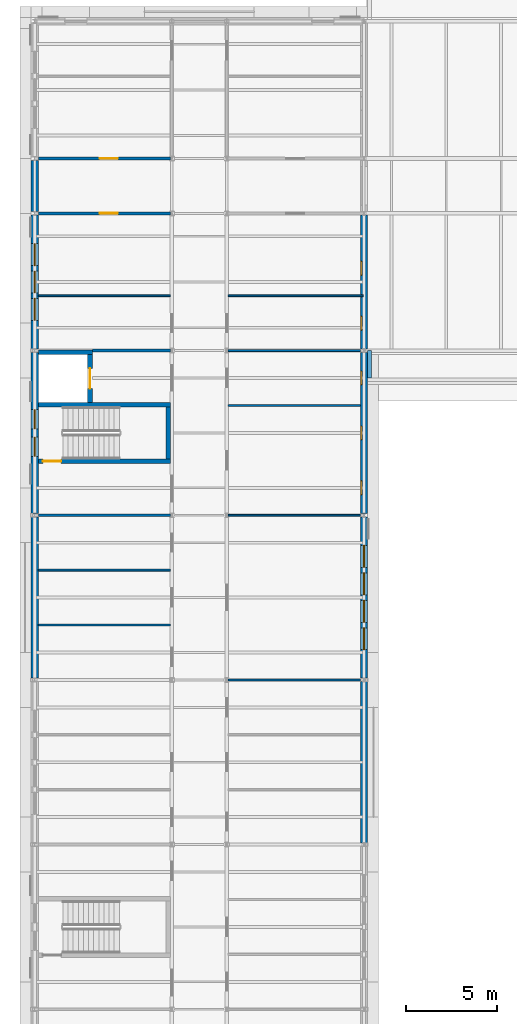
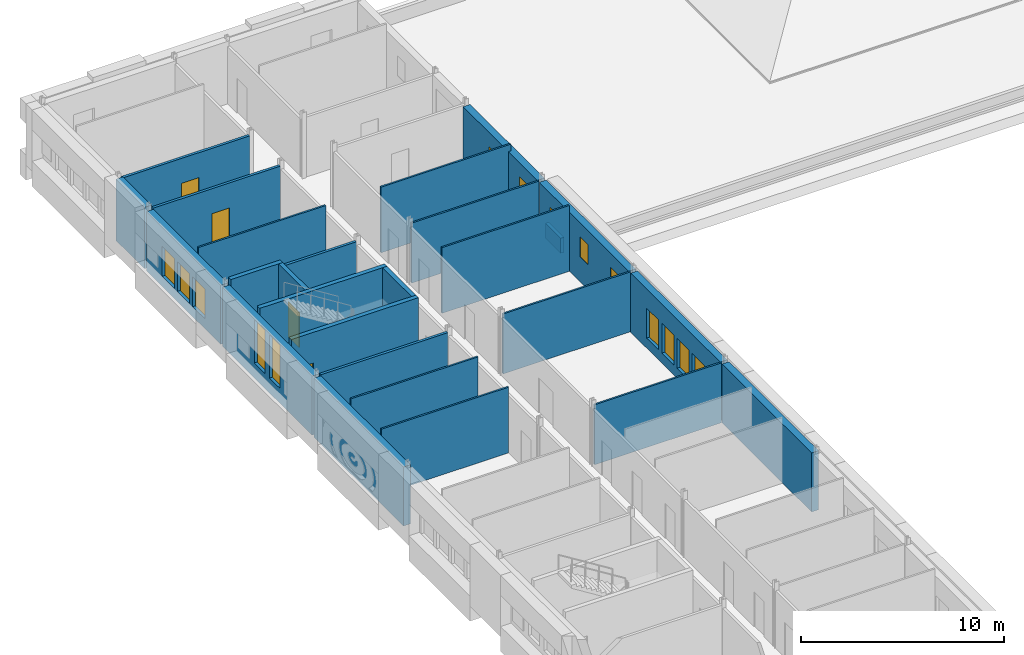
# One storey, part 28 of 42: 26 walls, 14 windows, 4 doors, 18 openings.
"""IFC4 building model written with IfcOpenShell, lengths in metres."""

from ifc_helpers import new_model, si_unit, direction, frame, frame_2d, origin, place, context, subcontext, project, spatial, rectangle, extrude, material, layer, layer_set, type_object, element, fill, save


model = new_model("IFC4")

# Units and contexts
model_context = context("Model", 3, precision=1e-05, world=origin(), true_north=direction((0.0, 1.0)))
body_context = subcontext(model_context, "Body", "Model", "MODEL_VIEW")
ifc_project = project(units=[si_unit("LENGTHUNIT", "METRE"), si_unit("AREAUNIT", "SQUARE_METRE"), si_unit("VOLUMEUNIT", "CUBIC_METRE"), si_unit("PLANEANGLEUNIT", "RADIAN"), si_unit("MASSUNIT", "GRAM", prefix="KILO")], contexts=[model_context])

# Site, building, storey
site_placement = place(None, origin())
site = spatial("IfcSite", under=ifc_project, at=site_placement, CompositionType="ELEMENT")
building_placement = place(site_placement, origin())
building = spatial("IfcBuilding", under=site, at=building_placement, Name="Golden Quay Civic Hall", CompositionType="ELEMENT")
storey_placement = place(building_placement, frame((0.0, 0.0, 22.800048828125)))
storey = spatial("IfcBuildingStorey", under=building, at=storey_placement, Name="L05", CompositionType="ELEMENT", Elevation=22.800048828125)

# Wall, openings, windows
ifc_material_1 = material(Name="Brick, dark clay facing", Category="masonry")
ifc_layer_1 = layer(ifc_material_1, 0.39990234375)
ifc_layer_set_1 = layer_set([ifc_layer_1], Name="Brick external wall 400")
wall_type_1 = type_object("IfcWallType", Name="Brick external wall 400", PredefinedType="STANDARD", material=ifc_layer_set_1)
wall_1_placement = place(storey_placement, frame((18.0, 62.905029296875, 0.0), z_axis=(0.0, 0.0, 1.0), x_axis=(0.0, -1.0, 0.0)))
wall_1 = element("IfcWall", 1, at=wall_1_placement, inside=storey, type_object=wall_type_1, Name="Brick external wall 400 L05 1", PredefinedType="STANDARD", context=body_context, shape_type="SweptSolid", body=[
    extrude(rectangle(XDim=8.81005859375, YDim=0.39990234375, at=frame_2d((4.405029296875, 0.0))), origin(), (0.0, 0.0, 1.0), 3.550048828125),
])
opening_1_placement = place(wall_1_placement, frame((7.030029296875, 0.0, 1.5)))
opening_1 = element("IfcOpeningElement", 2, at=opening_1_placement, cuts=wall_1, Name="Opening WN11", PredefinedType="OPENING", context=body_context, shape_type="SweptSolid", body=[
    extrude(rectangle(XDim=0.75, YDim=1.199951171875, at=frame_2d((0.375, 0.60009765625))), frame((0.0, 0.2099609375, 0.0), z_axis=(0.0, -1.0, 0.0), x_axis=(1.0, 0.0, 0.0)), (0.0, 0.0, 1.0), 0.419921875),
])
opening_2_placement = place(wall_1_placement, frame((4.030029296875, 0.0, 1.5)))
opening_2 = element("IfcOpeningElement", 3, at=opening_2_placement, cuts=wall_1, Name="Opening WN11", PredefinedType="OPENING", context=body_context, shape_type="SweptSolid", body=[
    extrude(rectangle(XDim=0.75, YDim=1.199951171875, at=frame_2d((0.375, 0.60009765625))), frame((0.0, 0.2099609375, 0.0), z_axis=(0.0, -1.0, 0.0), x_axis=(1.0, 0.0, 0.0)), (0.0, 0.0, 1.0), 0.419921875),
])
opening_3_placement = place(wall_1_placement, frame((1.030029296875, 0.0, 1.5)))
opening_3 = element("IfcOpeningElement", 4, at=opening_3_placement, cuts=wall_1, Name="Opening WN11", PredefinedType="OPENING", context=body_context, shape_type="SweptSolid", body=[
    extrude(rectangle(XDim=0.75, YDim=1.199951171875, at=frame_2d((0.375, 0.60009765625))), frame((0.0, 0.2099609375, 0.0), z_axis=(0.0, -1.0, 0.0), x_axis=(1.0, 0.0, 0.0)), (0.0, 0.0, 1.0), 0.419921875),
])
ifc_material_2 = material(Name="Aluminium frame, double glazed", Category="aluminium")
window_type_1 = type_object("IfcWindowType", Name="Attic pair window 750 x 1200", PartitioningType="SINGLE_PANEL", PredefinedType="WINDOW", material=ifc_material_2)
window_1_placement = place(opening_1_placement, origin())
window_1 = element("IfcWindow", 5, at=window_1_placement, inside=storey, type_object=window_type_1, Name="Attic pair window 750 x 1200 L05 1", OverallHeight=1.199951171875, OverallWidth=0.75, PartitioningType="SINGLE_PANEL", PredefinedType="WINDOW", context=body_context, shape_type="SweptSolid", body=[
    extrude(rectangle(XDim=0.75, YDim=1.199951171875, at=frame_2d((0.375, 0.60009765625))), frame((0.0, -0.119873046875, 0.0), z_axis=(0.0, -1.0, 0.0), x_axis=(1.0, 0.0, 0.0)), (0.0, 0.0, 1.0), 0.06005859375),
])
fill(opening_1, window_1)
window_2_placement = place(opening_2_placement, origin())
window_2 = element("IfcWindow", 6, at=window_2_placement, inside=storey, type_object=window_type_1, Name="Attic pair window 750 x 1200 L05 2", OverallHeight=1.199951171875, OverallWidth=0.75, PartitioningType="SINGLE_PANEL", PredefinedType="WINDOW", context=body_context, shape_type="SweptSolid", body=[
    extrude(rectangle(XDim=0.75, YDim=1.199951171875, at=frame_2d((0.375, 0.60009765625))), frame((0.0, -0.119873046875, 0.0), z_axis=(0.0, -1.0, 0.0), x_axis=(1.0, 0.0, 0.0)), (0.0, 0.0, 1.0), 0.06005859375),
])
fill(opening_2, window_2)
window_3_placement = place(opening_3_placement, origin())
window_3 = element("IfcWindow", 7, at=window_3_placement, inside=storey, type_object=window_type_1, Name="Attic pair window 750 x 1200 L05 3", OverallHeight=1.199951171875, OverallWidth=0.75, PartitioningType="SINGLE_PANEL", PredefinedType="WINDOW", context=body_context, shape_type="SweptSolid", body=[
    extrude(rectangle(XDim=0.75, YDim=1.199951171875, at=frame_2d((0.375, 0.60009765625))), frame((0.0, -0.119873046875, 0.0), z_axis=(0.0, -1.0, 0.0), x_axis=(1.0, 0.0, 0.0)), (0.0, 0.0, 1.0), 0.06005859375),
])
fill(opening_3, window_3)

wall_2_placement = place(storey_placement, frame((18.0, 70.405029296875, 0.0), z_axis=(0.0, 0.0, 1.0), x_axis=(0.0, -1.0, 0.0)))
wall_2 = element("IfcWall", 8, at=wall_2_placement, inside=storey, type_object=wall_type_1, Name="Brick external wall 400 L05 2", PredefinedType="STANDARD", context=body_context, shape_type="SweptSolid", body=[
    extrude(rectangle(XDim=7.31005859375, YDim=0.39990234375, at=frame_2d((3.655029296875, 0.0))), origin(), (0.0, 0.0, 1.0), 3.550048828125),
])
opening_4_placement = place(wall_2_placement, frame((5.530029296875, 0.0, 1.5)))
opening_4 = element("IfcOpeningElement", 9, at=opening_4_placement, cuts=wall_2, Name="Opening WN11", PredefinedType="OPENING", context=body_context, shape_type="SweptSolid", body=[
    extrude(rectangle(XDim=0.75, YDim=1.199951171875, at=frame_2d((0.375, 0.60009765625))), frame((0.0, 0.2099609375, 0.0), z_axis=(0.0, -1.0, 0.0), x_axis=(1.0, 0.0, 0.0)), (0.0, 0.0, 1.0), 0.419921875),
])
opening_5_placement = place(wall_2_placement, frame((2.530029296875, 0.0, 1.5)))
opening_5 = element("IfcOpeningElement", 10, at=opening_5_placement, cuts=wall_2, Name="Opening WN11", PredefinedType="OPENING", context=body_context, shape_type="SweptSolid", body=[
    extrude(rectangle(XDim=0.75, YDim=1.199951171875, at=frame_2d((0.375, 0.60009765625))), frame((0.0, 0.2099609375, 0.0), z_axis=(0.0, -1.0, 0.0), x_axis=(1.0, 0.0, 0.0)), (0.0, 0.0, 1.0), 0.419921875),
])
window_4_placement = place(opening_4_placement, origin())
window_4 = element("IfcWindow", 11, at=window_4_placement, inside=storey, type_object=window_type_1, Name="Attic pair window 750 x 1200 L05 4", OverallHeight=1.199951171875, OverallWidth=0.75, PartitioningType="SINGLE_PANEL", PredefinedType="WINDOW", context=body_context, shape_type="SweptSolid", body=[
    extrude(rectangle(XDim=0.75, YDim=1.199951171875, at=frame_2d((0.375, 0.60009765625))), frame((0.0, -0.119873046875, 0.0), z_axis=(0.0, -1.0, 0.0), x_axis=(1.0, 0.0, 0.0)), (0.0, 0.0, 1.0), 0.06005859375),
])
fill(opening_4, window_4)
window_5_placement = place(opening_5_placement, origin())
window_5 = element("IfcWindow", 12, at=window_5_placement, inside=storey, type_object=window_type_1, Name="Attic pair window 750 x 1200 L05 5", OverallHeight=1.199951171875, OverallWidth=0.75, PartitioningType="SINGLE_PANEL", PredefinedType="WINDOW", context=body_context, shape_type="SweptSolid", body=[
    extrude(rectangle(XDim=0.75, YDim=1.199951171875, at=frame_2d((0.375, 0.60009765625))), frame((0.0, -0.119873046875, 0.0), z_axis=(0.0, -1.0, 0.0), x_axis=(1.0, 0.0, 0.0)), (0.0, 0.0, 1.0), 0.06005859375),
])
fill(opening_5, window_5)

# Wall, opening, door
ifc_material_3 = material(Name="Concrete C40/50", Category="concrete")
ifc_layer_2 = layer(ifc_material_3, 0.25)
ifc_layer_set_2 = layer_set([ifc_layer_2], Name="Concrete core wall 250, Concrete C40/50")
wall_type_2 = type_object("IfcWallType", Name="Concrete core wall 250", PredefinedType="SHEAR", material=ifc_layer_set_2)
wall_3_placement = place(storey_placement, frame((0.199951171875, 56.949951171875, 0.0), z_axis=(0.0, 0.0, 1.0), x_axis=(1.0, 0.0, 0.0)))
wall_3 = element("IfcWall", 13, at=wall_3_placement, inside=storey, type_object=wall_type_2, Name="Core wall WO-N-W1", PredefinedType="SHEAR", context=body_context, shape_type="SweptSolid", body=[
    extrude(rectangle(XDim=7.22509765625, YDim=0.25, at=frame_2d((3.612548828125, 0.0))), origin(), (0.0, 0.0, 1.0), 3.949951171875),
])
opening_6_placement = place(wall_3_placement, frame((0.25, 0.0, 0.0)))
opening_6 = element("IfcOpeningElement", 14, at=opening_6_placement, cuts=wall_3, Name="Opening L05-D030", PredefinedType="OPENING", context=body_context, shape_type="SweptSolid", body=[
    extrude(rectangle(XDim=1.0, YDim=2.10009765625, at=frame_2d((0.5, 1.050048828125))), frame((0.0, 0.135009765625, 0.0), z_axis=(0.0, -1.0, 0.0), x_axis=(1.0, 0.0, 0.0)), (0.0, 0.0, 1.0), 0.27001953125),
])
ifc_material_4 = material(Name="Steel", Category="steel")
door_type_1 = type_object("IfcDoorType", Name="Steel fire door FD60 1000 x 2100", OperationType="SINGLE_SWING_LEFT", PredefinedType="DOOR", material=ifc_material_4)
door_1_placement = place(opening_6_placement, origin())
door_1 = element("IfcDoor", 15, at=door_1_placement, inside=storey, type_object=door_type_1, Name="Door L05-D030", OperationType="SINGLE_SWING_LEFT", OverallHeight=2.10009765625, OverallWidth=1.0, PredefinedType="DOOR", context=body_context, shape_type="SweptSolid", body=[
    extrude(rectangle(XDim=1.0, YDim=2.10009765625, at=frame_2d((0.5, 1.050048828125))), frame((0.0, 0.02490234375, 0.0), z_axis=(0.0, -1.0, 0.0), x_axis=(1.0, 0.0, 0.0)), (0.0, 0.0, 1.0), 0.050048828125),
])
fill(opening_6, door_1)

# Walls
wall_4_placement = place(storey_placement, frame((0.199951171875, 60.050048828125, 0.0), z_axis=(0.0, 0.0, 1.0), x_axis=(1.0, 0.0, 0.0)))
element("IfcWall", 16, at=wall_4_placement, inside=storey, type_object=wall_type_2, Name="Core wall WO-N-W2", PredefinedType="SHEAR", context=body_context, shape_type="SweptSolid", body=[
    extrude(rectangle(XDim=7.22509765625, YDim=0.25, at=frame_2d((3.612548828125, 0.0))), origin(), (0.0, 0.0, 1.0), 3.949951171875),
])
wall_5_placement = place(storey_placement, frame((7.300048828125, 57.074951171875, 0.0), z_axis=(0.0, 0.0, 1.0), x_axis=(0.0, 1.0, 0.0)))
element("IfcWall", 17, at=wall_5_placement, inside=storey, type_object=wall_type_2, Name="Core wall WO-N-W3", PredefinedType="SHEAR", context=body_context, shape_type="SweptSolid", body=[
    extrude(rectangle(XDim=2.85009765625, YDim=0.25, at=frame_2d((1.425048828125, 0.0))), origin(), (0.0, 0.0, 1.0), 3.949951171875),
])

# Wall, opening, door
wall_6_placement = place(storey_placement, frame((3.02490234375, 60.175048828125, 0.0), z_axis=(0.0, 0.0, 1.0), x_axis=(0.0, 1.0, 0.0)))
wall_6 = element("IfcWall", 18, at=wall_6_placement, inside=storey, type_object=wall_type_2, Name="Core wall WO-N-W4", PredefinedType="SHEAR", context=body_context, shape_type="SweptSolid", body=[
    extrude(rectangle(XDim=2.599853515625, YDim=0.25, at=frame_2d((1.2998046875, 0.0))), origin(), (0.0, 0.0, 1.0), 3.949951171875),
])
opening_7_placement = place(wall_6_placement, frame((0.75, 0.0, 0.0)))
opening_7 = element("IfcOpeningElement", 19, at=opening_7_placement, cuts=wall_6, Name="Opening L05-D045", PredefinedType="OPENING", context=body_context, shape_type="SweptSolid", body=[
    extrude(rectangle(XDim=1.10009765625, YDim=2.10009765625, at=frame_2d((0.550048828125, 1.050048828125))), frame((0.0, 0.135009765625, 0.0), z_axis=(0.0, -1.0, 0.0), x_axis=(1.0, 0.0, 0.0)), (0.0, 0.0, 1.0), 0.27001953125),
])
ifc_material_5 = material(Name="Steel", Category="steel")
door_type_2 = type_object("IfcDoorType", Name="Lift landing door 1100 x 2100", OperationType="SLIDING_TO_LEFT", PredefinedType="DOOR", material=ifc_material_5)
door_2_placement = place(opening_7_placement, origin())
door_2 = element("IfcDoor", 20, at=door_2_placement, inside=storey, type_object=door_type_2, Name="Lift landing door L05-D045 WO-N", OperationType="SLIDING_TO_LEFT", OverallHeight=2.10009765625, OverallWidth=1.10009765625, PredefinedType="DOOR", context=body_context, shape_type="SweptSolid", body=[
    extrude(rectangle(XDim=1.10009765625, YDim=2.10009765625, at=frame_2d((0.550048828125, 1.050048828125))), frame((0.0, 0.02490234375, 0.0), z_axis=(0.0, -1.0, 0.0), x_axis=(1.0, 0.0, 0.0)), (0.0, 0.0, 1.0), 0.050048828125),
])
fill(opening_7, door_2)

# Walls
wall_7_placement = place(storey_placement, frame((0.199951171875, 62.89990234375, 0.0), z_axis=(0.0, 0.0, 1.0), x_axis=(1.0, 0.0, 0.0)))
element("IfcWall", 21, at=wall_7_placement, inside=storey, type_object=wall_type_2, Name="Core wall WO-N-W5", PredefinedType="SHEAR", context=body_context, shape_type="SweptSolid", body=[
    extrude(rectangle(XDim=2.949951171875, YDim=0.25, at=frame_2d((1.47509765625, 0.0))), origin(), (0.0, 0.0, 1.0), 3.949951171875),
])
ifc_material_6 = material(Name="Brick, dark clay facing", Category="masonry")
ifc_layer_3 = layer(ifc_material_6, 0.199951171875)
ifc_layer_set_3 = layer_set([ifc_layer_3], Name="Parapet 200 x 900")
wall_type_3 = type_object("IfcWallType", Name="Parapet 200 x 900", PredefinedType="PARAPET", material=ifc_layer_set_3)
wall_8_placement = place(storey_placement, frame((18.300048828125, 61.5, 0.0), z_axis=(0.0, 0.0, 1.0), x_axis=(0.0, 1.0, 0.0)))
element("IfcWall", 22, at=wall_8_placement, inside=storey, type_object=wall_type_3, Name="Parapet 200 x 900 L05 5", PredefinedType="PARAPET", context=body_context, shape_type="SweptSolid", body=[
    extrude(rectangle(XDim=1.5, YDim=0.199951171875, at=frame_2d((0.75, 0.0))), origin(), (0.0, 0.0, 1.0), 0.89990234375),
])
ifc_material_7 = material(Name="Plasterboard on steel studs", Category="steel")
ifc_layer_4 = layer(ifc_material_7, 0.10009765625)
ifc_layer_set_4 = layer_set([ifc_layer_4], Name="Partition 100 stud")
wall_type_4 = type_object("IfcWallType", Name="Partition 100 stud", PredefinedType="PARTITIONING", material=ifc_layer_set_4)
for number, where, z_axis, x_axis, name in (
    (23, (0.199951171875, 48.0, 0.0), (0.0, 0.0, 1.0), (1.0, 0.0, 0.0), "Partition L05-008"),
    (24, (0.199951171875, 51.0, 0.0), (0.0, 0.0, 1.0), (1.0, 0.0, 0.0), "Partition L05-009"),
):
    element("IfcWall", number, at=place(storey_placement, frame(where, z_axis=z_axis, x_axis=x_axis)), inside=storey, type_object=wall_type_4, Name=name, PredefinedType="PARTITIONING", context=body_context, shape_type="SweptSolid", body=[
        extrude(rectangle(XDim=7.22509765625, YDim=0.10009765625, at=frame_2d((3.612548828125, 0.0))), origin(), (0.0, 0.0, 1.0), 3.949951171875),
    ])
for number, where, z_axis, x_axis, name in (
    (25, (10.574951171875, 45.0, 0.0), (0.0, 0.0, 1.0), (1.0, 0.0, 0.0), "Partition L05-021"),
    (26, (10.574951171875, 54.0, 0.0), (0.0, 0.0, 1.0), (1.0, 0.0, 0.0), "Partition L05-022"),
):
    element("IfcWall", number, at=place(storey_placement, frame(where, z_axis=z_axis, x_axis=x_axis)), inside=storey, type_object=wall_type_4, Name=name, PredefinedType="PARTITIONING", context=body_context, shape_type="SweptSolid", body=[
        extrude(rectangle(XDim=7.22509765625, YDim=0.10009765625, at=frame_2d((3.612548828125, 0.0))), origin(), (0.0, 0.0, 1.0), 3.599853515625),
    ])
wall_9_placement = place(storey_placement, frame((10.574951171875, 60.0, 0.0), z_axis=(0.0, 0.0, 1.0), x_axis=(1.0, 0.0, 0.0)))
element("IfcWall", 27, at=wall_9_placement, inside=storey, type_object=wall_type_4, Name="Partition L05-023", PredefinedType="PARTITIONING", context=body_context, shape_type="SweptSolid", body=[
    extrude(rectangle(XDim=7.22509765625, YDim=0.10009765625, at=frame_2d((3.612548828125, 0.0))), origin(), (0.0, 0.0, 1.0), 3.949951171875),
])
wall_10_placement = place(storey_placement, frame((10.574951171875, 63.0, 0.0), z_axis=(0.0, 0.0, 1.0), x_axis=(1.0, 0.0, 0.0)))
element("IfcWall", 28, at=wall_10_placement, inside=storey, type_object=wall_type_4, Name="Partition L05-024", PredefinedType="PARTITIONING", context=body_context, shape_type="SweptSolid", body=[
    extrude(rectangle(XDim=7.22509765625, YDim=0.10009765625, at=frame_2d((3.612548828125, 0.0))), origin(), (0.0, 0.0, 1.0), 3.599853515625),
])
wall_11_placement = place(storey_placement, frame((0.199951171875, 66.0, 0.0), z_axis=(0.0, 0.0, 1.0), x_axis=(1.0, 0.0, 0.0)))
element("IfcWall", 29, at=wall_11_placement, inside=storey, type_object=wall_type_4, Name="Partition L05-038", PredefinedType="PARTITIONING", context=body_context, shape_type="SweptSolid", body=[
    extrude(rectangle(XDim=7.22509765625, YDim=0.10009765625, at=frame_2d((3.612548828125, 0.0))), origin(), (0.0, 0.0, 1.0), 3.949951171875),
])
wall_12_placement = place(storey_placement, frame((10.574951171875, 66.0, 0.0), z_axis=(0.0, 0.0, 1.0), x_axis=(1.0, 0.0, 0.0)))
element("IfcWall", 30, at=wall_12_placement, inside=storey, type_object=wall_type_4, Name="Partition L05-039", PredefinedType="PARTITIONING", context=body_context, shape_type="SweptSolid", body=[
    extrude(rectangle(XDim=7.375, YDim=0.10009765625, at=frame_2d((3.6875, 0.0))), origin(), (0.0, 0.0, 1.0), 3.949951171875),
])
ifc_material_8 = material(Name="Plasterboard on steel studs", Category="steel")
ifc_layer_5 = layer(ifc_material_8, 0.14990234375)
ifc_layer_set_5 = layer_set([ifc_layer_5], Name="Partition 150 stud fire EI 60")
wall_type_5 = type_object("IfcWallType", Name="Partition 150 stud fire EI 60", PredefinedType="PARTITIONING", material=ifc_layer_set_5)
wall_13_placement = place(storey_placement, frame((0.199951171875, 54.0, 0.0), z_axis=(0.0, 0.0, 1.0), x_axis=(1.0, 0.0, 0.0)))
element("IfcWall", 31, at=wall_13_placement, inside=storey, type_object=wall_type_5, Name="Partition L05-010", PredefinedType="PARTITIONING", context=body_context, shape_type="SweptSolid", body=[
    extrude(rectangle(XDim=7.22509765625, YDim=0.14990234375, at=frame_2d((3.612548828125, 0.0))), origin(), (0.0, 0.0, 1.0), 3.599853515625),
])
wall_14_placement = place(storey_placement, frame((3.14990234375, 63.0, 0.0), z_axis=(0.0, 0.0, 1.0), x_axis=(1.0, 0.0, 0.0)))
element("IfcWall", 32, at=wall_14_placement, inside=storey, type_object=wall_type_5, Name="Partition L05-030", PredefinedType="PARTITIONING", context=body_context, shape_type="SweptSolid", body=[
    extrude(rectangle(XDim=4.275146484375, YDim=0.14990234375, at=frame_2d((2.1376953125, 0.0))), origin(), (0.0, 0.0, 1.0), 3.599853515625),
])

# Wall, opening, door
wall_15_placement = place(storey_placement, frame((0.199951171875, 70.5, 0.0), z_axis=(0.0, 0.0, 1.0), x_axis=(1.0, 0.0, 0.0)))
wall_15 = element("IfcWall", 33, at=wall_15_placement, inside=storey, type_object=wall_type_5, Name="Partition L05-031", PredefinedType="PARTITIONING", context=body_context, shape_type="SweptSolid", body=[
    extrude(rectangle(XDim=7.22509765625, YDim=0.14990234375, at=frame_2d((3.612548828125, 0.0))), origin(), (0.0, 0.0, 1.0), 3.599853515625),
])
opening_8_placement = place(wall_15_placement, frame((3.35009765625, 0.0, 0.0)))
opening_8 = element("IfcOpeningElement", 34, at=opening_8_placement, cuts=wall_15, Name="Opening L05-D037", PredefinedType="OPENING", context=body_context, shape_type="SweptSolid", body=[
    extrude(rectangle(XDim=1.0, YDim=2.10009765625, at=frame_2d((0.5, 1.050048828125))), frame((0.0, 0.0849609375, 0.0), z_axis=(0.0, -1.0, 0.0), x_axis=(1.0, 0.0, 0.0)), (0.0, 0.0, 1.0), 0.169921875),
])
ifc_material_9 = material(Name="Steel", Category="steel")
door_type_3 = type_object("IfcDoorType", Name="Steel fire door FD30S 1000 x 2100", OperationType="SINGLE_SWING_LEFT", PredefinedType="DOOR", material=ifc_material_9)
door_3_placement = place(opening_8_placement, frame((1.0, 0.0, 0.0), z_axis=(0.0, 0.0, 1.0), x_axis=(-1.0, 0.0, 0.0)))
door_3 = element("IfcDoor", 35, at=door_3_placement, inside=storey, type_object=door_type_3, Name="Door L05-D037", OperationType="SINGLE_SWING_RIGHT", OverallHeight=2.10009765625, OverallWidth=1.0, PredefinedType="DOOR", context=body_context, shape_type="SweptSolid", body=[
    extrude(rectangle(XDim=1.0, YDim=2.10009765625, at=frame_2d((0.5, 1.050048828125))), frame((0.0, 0.025146484375, 0.0), z_axis=(0.0, -1.0, 0.0), x_axis=(1.0, 0.0, 0.0)), (0.0, 0.0, 1.0), 0.050048828125),
])
fill(opening_8, door_3)

wall_16_placement = place(storey_placement, frame((0.199951171875, 73.5, 0.0), z_axis=(0.0, 0.0, 1.0), x_axis=(1.0, 0.0, 0.0)))
wall_16 = element("IfcWall", 36, at=wall_16_placement, inside=storey, type_object=wall_type_5, Name="Partition L05-032", PredefinedType="PARTITIONING", context=body_context, shape_type="SweptSolid", body=[
    extrude(rectangle(XDim=7.22509765625, YDim=0.14990234375, at=frame_2d((3.612548828125, 0.0))), origin(), (0.0, 0.0, 1.0), 3.599853515625),
])
opening_9_placement = place(wall_16_placement, frame((3.35009765625, 0.0, 0.0)))
opening_9 = element("IfcOpeningElement", 37, at=opening_9_placement, cuts=wall_16, Name="Opening L05-D040", PredefinedType="OPENING", context=body_context, shape_type="SweptSolid", body=[
    extrude(rectangle(XDim=1.0, YDim=2.10009765625, at=frame_2d((0.5, 1.050048828125))), frame((0.0, 0.0849609375, 0.0), z_axis=(0.0, -1.0, 0.0), x_axis=(1.0, 0.0, 0.0)), (0.0, 0.0, 1.0), 0.169921875),
])
door_4_placement = place(opening_9_placement, origin())
door_4 = element("IfcDoor", 38, at=door_4_placement, inside=storey, type_object=door_type_3, Name="Door L05-D040", OperationType="SINGLE_SWING_LEFT", OverallHeight=2.10009765625, OverallWidth=1.0, PredefinedType="DOOR", context=body_context, shape_type="SweptSolid", body=[
    extrude(rectangle(XDim=1.0, YDim=2.10009765625, at=frame_2d((0.5, 1.050048828125))), frame((0.0, 0.02490234375, 0.0), z_axis=(0.0, -1.0, 0.0), x_axis=(1.0, 0.0, 0.0)), (0.0, 0.0, 1.0), 0.050048828125),
])
fill(opening_9, door_4)

# Wall
ifc_material_10 = material(Name="Clay block, rendered, cream")
ifc_layer_6 = layer(ifc_material_10, 0.39990234375)
ifc_layer_set_6 = layer_set([ifc_layer_6], Name="Rendered block external wall 400")
wall_type_6 = type_object("IfcWallType", Name="Rendered block external wall 400", PredefinedType="STANDARD", material=ifc_layer_set_6)
wall_17_placement = place(storey_placement, frame((0.0, 45.094970703125, 0.0), z_axis=(0.0, 0.0, 1.0), x_axis=(0.0, 1.0, 0.0)))
element("IfcWall", 39, at=wall_17_placement, inside=storey, type_object=wall_type_6, Name="Rendered block external wall 400 L05 5", PredefinedType="STANDARD", context=body_context, shape_type="SweptSolid", body=[
    extrude(rectangle(XDim=8.81005859375, YDim=0.39990234375, at=frame_2d((4.405029296875, 0.0))), origin(), (0.0, 0.0, 1.0), 3.550048828125),
])

# Wall, openings, windows
wall_18_placement = place(storey_placement, frame((0.0, 63.094970703125, 0.0), z_axis=(0.0, 0.0, 1.0), x_axis=(0.0, 1.0, 0.0)))
wall_18 = element("IfcWall", 40, at=wall_18_placement, inside=storey, type_object=wall_type_6, Name="Rendered block external wall 400 L05 6", PredefinedType="STANDARD", context=body_context, shape_type="SweptSolid", body=[
    extrude(rectangle(XDim=7.31005859375, YDim=0.39990234375, at=frame_2d((3.655029296875, 0.0))), origin(), (0.0, 0.0, 1.0), 3.550048828125),
])
opening_10_placement = place(wall_18_placement, frame((1.554931640625, 0.0, 0.60009765625)))
opening_10 = element("IfcOpeningElement", 41, at=opening_10_placement, cuts=wall_18, Name="Opening WN10", PredefinedType="OPENING", context=body_context, shape_type="SweptSolid", body=[
    extrude(rectangle(XDim=1.199951171875, YDim=1.800048828125, at=frame_2d((0.60009765625, 0.89990234375))), frame((0.0, 0.2099609375, 0.0), z_axis=(0.0, -1.0, 0.0), x_axis=(1.0, 0.0, 0.0)), (0.0, 0.0, 1.0), 0.419921875),
])
opening_11_placement = place(wall_18_placement, frame((3.054931640625, 0.0, 0.60009765625)))
opening_11 = element("IfcOpeningElement", 42, at=opening_11_placement, cuts=wall_18, Name="Opening WN10", PredefinedType="OPENING", context=body_context, shape_type="SweptSolid", body=[
    extrude(rectangle(XDim=1.199951171875, YDim=1.800048828125, at=frame_2d((0.60009765625, 0.89990234375))), frame((0.0, 0.2099609375, 0.0), z_axis=(0.0, -1.0, 0.0), x_axis=(1.0, 0.0, 0.0)), (0.0, 0.0, 1.0), 0.419921875),
])
opening_12_placement = place(wall_18_placement, frame((4.554931640625, 0.0, 0.60009765625)))
opening_12 = element("IfcOpeningElement", 43, at=opening_12_placement, cuts=wall_18, Name="Opening WN10", PredefinedType="OPENING", context=body_context, shape_type="SweptSolid", body=[
    extrude(rectangle(XDim=1.199951171875, YDim=1.800048828125, at=frame_2d((0.60009765625, 0.89990234375))), frame((0.0, 0.2099609375, 0.0), z_axis=(0.0, -1.0, 0.0), x_axis=(1.0, 0.0, 0.0)), (0.0, 0.0, 1.0), 0.419921875),
])
ifc_material_11 = material(Name="Aluminium frame, double glazed", Category="aluminium")
window_type_2 = type_object("IfcWindowType", Name="Golden grid window 1200 x 1800", PartitioningType="SINGLE_PANEL", PredefinedType="WINDOW", material=ifc_material_11)
window_6_placement = place(opening_10_placement, origin())
window_6 = element("IfcWindow", 44, at=window_6_placement, inside=storey, type_object=window_type_2, Name="Golden grid window 1200 x 1800 L05 9", OverallHeight=1.800048828125, OverallWidth=1.199951171875, PartitioningType="SINGLE_PANEL", PredefinedType="WINDOW", context=body_context, shape_type="SweptSolid", body=[
    extrude(rectangle(XDim=1.199951171875, YDim=1.800048828125, at=frame_2d((0.60009765625, 0.89990234375))), frame((0.0, 0.030029296875, 0.0), z_axis=(0.0, -1.0, 0.0), x_axis=(1.0, 0.0, 0.0)), (0.0, 0.0, 1.0), 0.06005859375),
])
fill(opening_10, window_6)
window_7_placement = place(opening_11_placement, origin())
window_7 = element("IfcWindow", 45, at=window_7_placement, inside=storey, type_object=window_type_2, Name="Golden grid window 1200 x 1800 L05 10", OverallHeight=1.800048828125, OverallWidth=1.199951171875, PartitioningType="SINGLE_PANEL", PredefinedType="WINDOW", context=body_context, shape_type="SweptSolid", body=[
    extrude(rectangle(XDim=1.199951171875, YDim=1.800048828125, at=frame_2d((0.60009765625, 0.89990234375))), frame((0.0, 0.030029296875, 0.0), z_axis=(0.0, -1.0, 0.0), x_axis=(1.0, 0.0, 0.0)), (0.0, 0.0, 1.0), 0.06005859375),
])
fill(opening_11, window_7)
window_8_placement = place(opening_12_placement, origin())
window_8 = element("IfcWindow", 46, at=window_8_placement, inside=storey, type_object=window_type_2, Name="Golden grid window 1200 x 1800 L05 11", OverallHeight=1.800048828125, OverallWidth=1.199951171875, PartitioningType="SINGLE_PANEL", PredefinedType="WINDOW", context=body_context, shape_type="SweptSolid", body=[
    extrude(rectangle(XDim=1.199951171875, YDim=1.800048828125, at=frame_2d((0.60009765625, 0.89990234375))), frame((0.0, 0.030029296875, 0.0), z_axis=(0.0, -1.0, 0.0), x_axis=(1.0, 0.0, 0.0)), (0.0, 0.0, 1.0), 0.06005859375),
])
fill(opening_12, window_8)

# Walls
wall_19_placement = place(storey_placement, frame((0.0, 70.594970703125, 0.0), z_axis=(0.0, 0.0, 1.0), x_axis=(0.0, 1.0, 0.0)))
element("IfcWall", 47, at=wall_19_placement, inside=storey, type_object=wall_type_6, Name="Rendered block external wall 400 L05 7", PredefinedType="STANDARD", context=body_context, shape_type="SweptSolid", body=[
    extrude(rectangle(XDim=2.81005859375, YDim=0.39990234375, at=frame_2d((1.405029296875, 0.0))), origin(), (0.0, 0.0, 1.0), 3.679931640625),
])
wall_20_placement = place(storey_placement, frame((18.0, 44.905029296875, 0.0), z_axis=(0.0, 0.0, 1.0), x_axis=(0.0, -1.0, 0.0)))
element("IfcWall", 48, at=wall_20_placement, inside=storey, type_object=wall_type_6, Name="Rendered block external wall 400 L05 17", PredefinedType="STANDARD", context=body_context, shape_type="SweptSolid", body=[
    extrude(rectangle(XDim=8.81005859375, YDim=0.39990234375, at=frame_2d((4.405029296875, 0.0))), origin(), (0.0, 0.0, 1.0), 3.550048828125),
])

# Wall, openings, windows
wall_21_placement = place(storey_placement, frame((18.0, 53.905029296875, 0.0), z_axis=(0.0, 0.0, 1.0), x_axis=(0.0, -1.0, 0.0)))
wall_21 = element("IfcWall", 49, at=wall_21_placement, inside=storey, type_object=wall_type_6, Name="Rendered block external wall 400 L05 18", PredefinedType="STANDARD", context=body_context, shape_type="SweptSolid", body=[
    extrude(rectangle(XDim=8.81005859375, YDim=0.39990234375, at=frame_2d((4.405029296875, 0.0))), origin(), (0.0, 0.0, 1.0), 3.550048828125),
])
opening_13_placement = place(wall_21_placement, frame((6.054931640625, 0.0, 0.60009765625)))
opening_13 = element("IfcOpeningElement", 50, at=opening_13_placement, cuts=wall_21, Name="Opening WN10", PredefinedType="OPENING", context=body_context, shape_type="SweptSolid", body=[
    extrude(rectangle(XDim=1.199951171875, YDim=1.800048828125, at=frame_2d((0.60009765625, 0.89990234375))), frame((0.0, 0.2099609375, 0.0), z_axis=(0.0, -1.0, 0.0), x_axis=(1.0, 0.0, 0.0)), (0.0, 0.0, 1.0), 0.419921875),
])
opening_14_placement = place(wall_21_placement, frame((4.554931640625, 0.0, 0.60009765625)))
opening_14 = element("IfcOpeningElement", 51, at=opening_14_placement, cuts=wall_21, Name="Opening WN10", PredefinedType="OPENING", context=body_context, shape_type="SweptSolid", body=[
    extrude(rectangle(XDim=1.199951171875, YDim=1.800048828125, at=frame_2d((0.60009765625, 0.89990234375))), frame((0.0, 0.2099609375, 0.0), z_axis=(0.0, -1.0, 0.0), x_axis=(1.0, 0.0, 0.0)), (0.0, 0.0, 1.0), 0.419921875),
])
opening_15_placement = place(wall_21_placement, frame((3.054931640625, 0.0, 0.60009765625)))
opening_15 = element("IfcOpeningElement", 52, at=opening_15_placement, cuts=wall_21, Name="Opening WN10", PredefinedType="OPENING", context=body_context, shape_type="SweptSolid", body=[
    extrude(rectangle(XDim=1.199951171875, YDim=1.800048828125, at=frame_2d((0.60009765625, 0.89990234375))), frame((0.0, 0.2099609375, 0.0), z_axis=(0.0, -1.0, 0.0), x_axis=(1.0, 0.0, 0.0)), (0.0, 0.0, 1.0), 0.419921875),
])
opening_16_placement = place(wall_21_placement, frame((1.554931640625, 0.0, 0.60009765625)))
opening_16 = element("IfcOpeningElement", 53, at=opening_16_placement, cuts=wall_21, Name="Opening WN10", PredefinedType="OPENING", context=body_context, shape_type="SweptSolid", body=[
    extrude(rectangle(XDim=1.199951171875, YDim=1.800048828125, at=frame_2d((0.60009765625, 0.89990234375))), frame((0.0, 0.2099609375, 0.0), z_axis=(0.0, -1.0, 0.0), x_axis=(1.0, 0.0, 0.0)), (0.0, 0.0, 1.0), 0.419921875),
])
window_9_placement = place(opening_13_placement, origin())
window_9 = element("IfcWindow", 54, at=window_9_placement, inside=storey, type_object=window_type_2, Name="Golden grid window 1200 x 1800 L05 33", OverallHeight=1.800048828125, OverallWidth=1.199951171875, PartitioningType="SINGLE_PANEL", PredefinedType="WINDOW", context=body_context, shape_type="SweptSolid", body=[
    extrude(rectangle(XDim=1.199951171875, YDim=1.800048828125, at=frame_2d((0.60009765625, 0.89990234375))), frame((0.0, 0.030029296875, 0.0), z_axis=(0.0, -1.0, 0.0), x_axis=(1.0, 0.0, 0.0)), (0.0, 0.0, 1.0), 0.06005859375),
])
fill(opening_13, window_9)
window_10_placement = place(opening_14_placement, origin())
window_10 = element("IfcWindow", 55, at=window_10_placement, inside=storey, type_object=window_type_2, Name="Golden grid window 1200 x 1800 L05 34", OverallHeight=1.800048828125, OverallWidth=1.199951171875, PartitioningType="SINGLE_PANEL", PredefinedType="WINDOW", context=body_context, shape_type="SweptSolid", body=[
    extrude(rectangle(XDim=1.199951171875, YDim=1.800048828125, at=frame_2d((0.60009765625, 0.89990234375))), frame((0.0, 0.030029296875, 0.0), z_axis=(0.0, -1.0, 0.0), x_axis=(1.0, 0.0, 0.0)), (0.0, 0.0, 1.0), 0.06005859375),
])
fill(opening_14, window_10)
window_11_placement = place(opening_15_placement, origin())
window_11 = element("IfcWindow", 56, at=window_11_placement, inside=storey, type_object=window_type_2, Name="Golden grid window 1200 x 1800 L05 35", OverallHeight=1.800048828125, OverallWidth=1.199951171875, PartitioningType="SINGLE_PANEL", PredefinedType="WINDOW", context=body_context, shape_type="SweptSolid", body=[
    extrude(rectangle(XDim=1.199951171875, YDim=1.800048828125, at=frame_2d((0.60009765625, 0.89990234375))), frame((0.0, 0.030029296875, 0.0), z_axis=(0.0, -1.0, 0.0), x_axis=(1.0, 0.0, 0.0)), (0.0, 0.0, 1.0), 0.06005859375),
])
fill(opening_15, window_11)
window_12_placement = place(opening_16_placement, origin())
window_12 = element("IfcWindow", 57, at=window_12_placement, inside=storey, type_object=window_type_2, Name="Golden grid window 1200 x 1800 L05 36", OverallHeight=1.800048828125, OverallWidth=1.199951171875, PartitioningType="SINGLE_PANEL", PredefinedType="WINDOW", context=body_context, shape_type="SweptSolid", body=[
    extrude(rectangle(XDim=1.199951171875, YDim=1.800048828125, at=frame_2d((0.60009765625, 0.89990234375))), frame((0.0, 0.030029296875, 0.0), z_axis=(0.0, -1.0, 0.0), x_axis=(1.0, 0.0, 0.0)), (0.0, 0.0, 1.0), 0.06005859375),
])
fill(opening_16, window_12)

ifc_material_12 = material(Name="Clay block, rendered, cream")
ifc_layer_7 = layer(ifc_material_12, 0.39990234375)
ifc_layer_set_7 = layer_set([ifc_layer_7], Name="Rendered block external wall 400 fire EI 60")
wall_type_7 = type_object("IfcWallType", Name="Rendered block external wall 400 fire EI 60", PredefinedType="STANDARD", material=ifc_layer_set_7)
wall_22_placement = place(storey_placement, frame((0.0, 54.094970703125, 0.0), z_axis=(0.0, 0.0, 1.0), x_axis=(0.0, 1.0, 0.0)))
wall_22 = element("IfcWall", 58, at=wall_22_placement, inside=storey, type_object=wall_type_7, Name="Rendered block external wall 400 fire EI 60 L05 2", PredefinedType="STANDARD", context=body_context, shape_type="SweptSolid", body=[
    extrude(rectangle(XDim=8.81005859375, YDim=0.39990234375, at=frame_2d((4.405029296875, 0.0))), origin(), (0.0, 0.0, 1.0), 3.550048828125),
])
opening_17_placement = place(wall_22_placement, frame((3.1298828125, 0.0, 0.89990234375)))
opening_17 = element("IfcOpeningElement", 59, at=opening_17_placement, cuts=wall_22, Name="Opening WN9", PredefinedType="OPENING", context=body_context, shape_type="SweptSolid", body=[
    extrude(rectangle(XDim=1.050048828125, YDim=2.60009765625, at=frame_2d((0.52490234375, 1.300048828125))), frame((0.0, 0.2099609375, 0.0), z_axis=(0.0, -1.0, 0.0), x_axis=(1.0, 0.0, 0.0)), (0.0, 0.0, 1.0), 0.419921875),
])
opening_18_placement = place(wall_22_placement, frame((4.6298828125, 0.0, 0.89990234375)))
opening_18 = element("IfcOpeningElement", 60, at=opening_18_placement, cuts=wall_22, Name="Opening WN9", PredefinedType="OPENING", context=body_context, shape_type="SweptSolid", body=[
    extrude(rectangle(XDim=1.050048828125, YDim=2.60009765625, at=frame_2d((0.52490234375, 1.300048828125))), frame((0.0, 0.2099609375, 0.0), z_axis=(0.0, -1.0, 0.0), x_axis=(1.0, 0.0, 0.0)), (0.0, 0.0, 1.0), 0.419921875),
])
ifc_material_13 = material(Name="Aluminium frame, double glazed", Category="aluminium")
window_type_3 = type_object("IfcWindowType", Name="Stair light window 1050 x 2600", PartitioningType="SINGLE_PANEL", PredefinedType="WINDOW", material=ifc_material_13)
window_13_placement = place(opening_17_placement, origin())
window_13 = element("IfcWindow", 61, at=window_13_placement, inside=storey, type_object=window_type_3, Name="Stair light window 1050 x 2600 L05 3", OverallHeight=2.60009765625, OverallWidth=1.050048828125, PartitioningType="SINGLE_PANEL", PredefinedType="WINDOW", context=body_context, shape_type="SweptSolid", body=[
    extrude(rectangle(XDim=1.050048828125, YDim=2.60009765625, at=frame_2d((0.52490234375, 1.300048828125))), frame((0.0, 0.030029296875, 0.0), z_axis=(0.0, -1.0, 0.0), x_axis=(1.0, 0.0, 0.0)), (0.0, 0.0, 1.0), 0.06005859375),
])
fill(opening_17, window_13)
window_14_placement = place(opening_18_placement, origin())
window_14 = element("IfcWindow", 62, at=window_14_placement, inside=storey, type_object=window_type_3, Name="Stair light window 1050 x 2600 L05 4", OverallHeight=2.60009765625, OverallWidth=1.050048828125, PartitioningType="SINGLE_PANEL", PredefinedType="WINDOW", context=body_context, shape_type="SweptSolid", body=[
    extrude(rectangle(XDim=1.050048828125, YDim=2.60009765625, at=frame_2d((0.52490234375, 1.300048828125))), frame((0.0, 0.030029296875, 0.0), z_axis=(0.0, -1.0, 0.0), x_axis=(1.0, 0.0, 0.0)), (0.0, 0.0, 1.0), 0.06005859375),
])
fill(opening_18, window_14)

save(model, "model.ifc")
